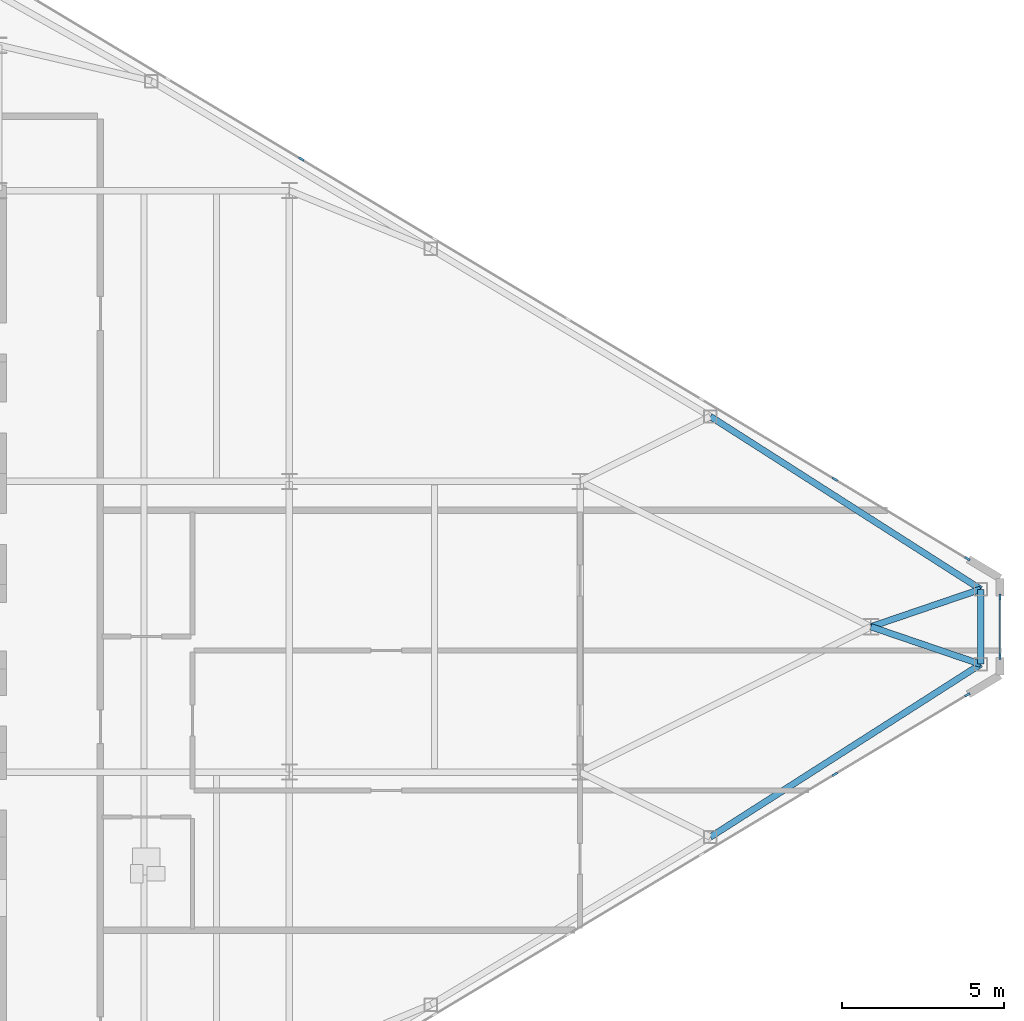
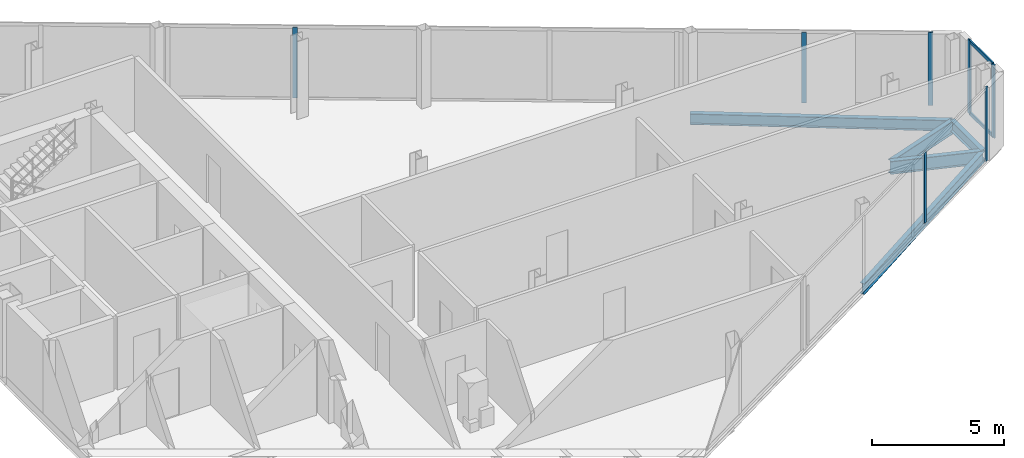
# One storey, part 17 of 25: 9 members, 5 beams, 3 elements without a shape of their own.
"""IFC4 building model written with IfcOpenShell, lengths in metres."""

from ifc_helpers import new_model, si_unit, direction, frame, origin, origin_2d, place, context, subcontext, project, spatial, rectangle, i_section, extrude, source, transform, mapped, material, layer, layer_set, material_profile, profile_set, type_object, type_shapes, element, aggregate, save


model = new_model("IFC4")

# Units and contexts
model_context = context("Model", 3, precision=1e-05, world=origin(), true_north=direction((0.0, 1.0)))
body_context = subcontext(model_context, "Body", "Model", "MODEL_VIEW")
ifc_project = project(units=[si_unit("LENGTHUNIT", "METRE"), si_unit("AREAUNIT", "SQUARE_METRE"), si_unit("VOLUMEUNIT", "CUBIC_METRE"), si_unit("PLANEANGLEUNIT", "RADIAN"), si_unit("MASSUNIT", "GRAM", prefix="KILO")], contexts=[model_context])

# Site, building, storey
site_placement = place(None, origin())
site = spatial("IfcSite", under=ifc_project, at=site_placement, CompositionType="ELEMENT")
building_placement = place(site_placement, origin())
building = spatial("IfcBuilding", under=site, at=building_placement, Name="Seokmaru Belvedere", CompositionType="ELEMENT")
storey_placement = place(building_placement, frame((0.0, 0.0, 210.300048828125)))
storey = spatial("IfcBuildingStorey", under=building, at=storey_placement, Name="L56", CompositionType="ELEMENT", Elevation=210.300048828125)

# Beams
ifc_material_1 = material(Name="Steel SM355 (355 MPa)", Category="steel")
ifc_material_profile_1 = material_profile(ifc_material_1, i_section(OverallWidth=0.199951171875, OverallDepth=0.5, WebThickness=0.010009765625, FlangeThickness=0.01611328125, at=origin_2d()), Name="H-500x200x10x16")
ifc_profile_set_1 = profile_set([ifc_material_profile_1], Name="Steel SM355 (355 MPa)")
beam_type_1 = type_object("IfcBeamType", Name="Perimeter Spandrel Beam H-500", PredefinedType="SPANDREL", material=ifc_profile_set_1)
shared_shape_1 = source(origin(), body_context, "Body", "SweptSolid", [
    extrude(i_section(OverallWidth=0.199951171875, OverallDepth=0.5, WebThickness=0.010009765625, FlangeThickness=0.01611328125, at=origin_2d()), origin(), (0.0, 0.0, 1.0), 9.932861328125),
])
for number, where, z_axis, x_axis, name in (
    (1, (58.530029296875, -6.5087890625, -0.469970703125), (0.842651960357, 0.538458609093, 0.0), (-0.538458609093, 0.842651960357, 0.0), "L56 E Faceted Flank Spandrel S-4"),
    (2, (58.530029296875, 6.5087890625, -0.469970703125), (0.842651960357, -0.538458609093, 0.0), (0.538458609093, 0.842651960357, 0.0), "L56 E Faceted Flank Spandrel N-4"),
):
    element("IfcBeam", number, at=place(storey_placement, frame(where, z_axis=z_axis, x_axis=x_axis)), inside=storey, type_object=beam_type_1, Name=name, PredefinedType="SPANDREL", context=body_context, shape_type="MappedRepresentation", body=[
        mapped(shared_shape_1, transform((0.0, 0.0, 0.0), scale=1.0)),
    ])
shared_shape_2 = source(origin(), body_context, "Body", "SweptSolid", [
    extrude(i_section(OverallWidth=0.199951171875, OverallDepth=0.5, WebThickness=0.010009765625, FlangeThickness=0.01611328125, at=origin_2d()), origin(), (0.0, 0.0, 1.0), 2.32080078125),
])
type_shapes(beam_type_1, [shared_shape_1, shared_shape_2])
beam_placement = place(storey_placement, frame((66.89990234375, -1.160400390625, -0.469970703125), z_axis=(0.0, 1.0, 0.0), x_axis=(-1.0, 0.0, 0.0)))
element("IfcBeam", 3, at=beam_placement, inside=storey, type_object=beam_type_1, Name="L56 E Faceted Apex Spandrel", PredefinedType="SPANDREL", context=body_context, shape_type="MappedRepresentation", body=[
    mapped(shared_shape_2, transform((0.0, 0.0, 0.0), scale=1.0)),
])
ifc_material_profile_2 = material_profile(ifc_material_1, i_section(OverallWidth=0.199951171875, OverallDepth=0.60009765625, WebThickness=0.010986328125, FlangeThickness=0.01708984375, at=origin_2d()), Name="H-600x200x11x17")
ifc_profile_set_2 = profile_set([ifc_material_profile_2], Name="Steel SM355 (355 MPa)")
beam_type_2 = type_object("IfcBeamType", Name="Primary Floor Girder H-600", PredefinedType="BEAM", material=ifc_profile_set_2)
shared_shape_3 = source(origin(), body_context, "Body", "SweptSolid", [
    extrude(i_section(OverallWidth=0.199951171875, OverallDepth=0.60009765625, WebThickness=0.010986328125, FlangeThickness=0.01708984375, at=origin_2d()), origin(), (0.0, 0.0, 1.0), 3.592529296875),
])
type_shapes(beam_type_2, [shared_shape_3])
for number, where, z_axis, x_axis, name in (
    (4, (66.89990234375, -1.160400390625, -0.52001953125), (-0.946395973048, 0.323008764893, 0.0), (-0.323008764893, -0.946395973048, 0.0), "L56 E Apex Radial Floor Girder 1"),
    (5, (66.89990234375, 1.160400390625, -0.52001953125), (-0.946395973048, -0.323008764893, 0.0), (0.323008764893, -0.946395973048, 0.0), "L56 E Apex Radial Floor Girder 2"),
):
    element("IfcBeam", number, at=place(storey_placement, frame(where, z_axis=z_axis, x_axis=x_axis)), inside=storey, type_object=beam_type_2, Name=name, PredefinedType="BEAM", context=body_context, shape_type="MappedRepresentation", body=[
        mapped(shared_shape_3, transform((0.0, 0.0, 0.0), scale=1.0)),
    ])

# Curtain wall, member
ifc_material_2 = material(Name="Bronze Triple Insulating Glass", Category="glass")
ifc_layer = layer(ifc_material_2, 0.179931640625)
ifc_layer_set = layer_set([ifc_layer], Name="Bronze Triple Insulating Glass")
curtain_wall_type = type_object("IfcCurtainWallType", Name="High-Rise Wind-Corner Curtain Wall System CW-5", PredefinedType="NOTDEFINED", material=ifc_layer_set)
curtain_wall_1_placement = place(storey_placement, origin())
curtain_wall_1 = element("IfcCurtainWall", 6, at=curtain_wall_1_placement, inside=storey, type_object=curtain_wall_type, Name="L56 Curtain Wall EF1", PredefinedType="NOTDEFINED")
ifc_material_3 = material(Name="Anodised Bronze Aluminium", Category="aluminium")
ifc_material_profile_3 = material_profile(ifc_material_3, rectangle(XDim=0.06494140625, YDim=0.179931640625, at=origin_2d()), Name="CW-M-65x180")
ifc_profile_set_3 = profile_set([ifc_material_profile_3], Name="Anodised Bronze Aluminium")
member_type_1 = type_object("IfcMemberType", Name="Bronze Unitised Mullion 65x180", PredefinedType="MULLION", material=ifc_profile_set_3)
shared_shape_4 = source(origin(), body_context, "Body", "SweptSolid", [
    extrude(rectangle(XDim=0.06494140625, YDim=0.179931640625, at=origin_2d()), origin(), (0.0, 0.0, 1.0), 3.3798828125),
])
member_1_placement = place(storey_placement, frame((66.486083984375, -2.1083984375, 0.0), z_axis=(0.0, 0.0, 1.0), x_axis=(-0.514494909364, 0.85749343335, 0.0)))
member_1 = element("IfcMember", 7, at=member_1_placement, type_object=member_type_1, Name="CW:L56:EF1 Mullion 9", PredefinedType="MULLION", context=body_context, shape_type="MappedRepresentation", body=[
    mapped(shared_shape_4, transform((0.0, 0.0, 0.0), scale=1.0)),
])

# Curtain wall, members
curtain_wall_2_placement = place(storey_placement, origin())
curtain_wall_2 = element("IfcCurtainWall", 8, at=curtain_wall_2_placement, inside=storey, type_object=curtain_wall_type, Name="L56 Curtain Wall EF2", PredefinedType="NOTDEFINED")
member_2_placement = place(storey_placement, frame((67.5, -0.91748046875, 0.0), z_axis=(0.0, 0.0, 1.0), x_axis=(-1.0, 0.0, 0.0)))
member_2 = element("IfcMember", 9, at=member_2_placement, type_object=member_type_1, Name="CW:L56:EF2 Mullion 1", PredefinedType="MULLION", context=body_context, shape_type="MappedRepresentation", body=[
    mapped(shared_shape_4, transform((0.0, 0.0, 0.0), scale=1.0)),
])
member_3_placement = place(storey_placement, frame((67.5, 0.91748046875, 0.0), z_axis=(0.0, 0.0, 1.0), x_axis=(-1.0, 0.0, 0.0)))
member_3 = element("IfcMember", 10, at=member_3_placement, type_object=member_type_1, Name="CW:L56:EF2 Mullion 2", PredefinedType="MULLION", context=body_context, shape_type="MappedRepresentation", body=[
    mapped(shared_shape_4, transform((0.0, 0.0, 0.0), scale=1.0)),
])

# Curtain wall, member
curtain_wall_3_placement = place(storey_placement, origin())
curtain_wall_3 = element("IfcCurtainWall", 11, at=curtain_wall_3_placement, inside=storey, type_object=curtain_wall_type, Name="L56 Curtain Wall EF3", PredefinedType="NOTDEFINED")
member_4_placement = place(storey_placement, frame((66.486083984375, 2.1083984375, 0.0), z_axis=(0.0, 0.0, 1.0), x_axis=(-0.514494909364, -0.85749343335, 0.0)))
member_4 = element("IfcMember", 12, at=member_4_placement, type_object=member_type_1, Name="CW:L56:EF3 Mullion 1", PredefinedType="MULLION", context=body_context, shape_type="MappedRepresentation", body=[
    mapped(shared_shape_4, transform((0.0, 0.0, 0.0), scale=1.0)),
])

# Member
shared_shape_5 = source(origin(), body_context, "Body", "SweptSolid", [
    extrude(rectangle(XDim=0.06494140625, YDim=0.179931640625, at=origin_2d()), origin(), (0.0, 0.0, 1.0), 3.25),
])
type_shapes(member_type_1, [shared_shape_4, shared_shape_5])
member_5_placement = place(storey_placement, frame((62.385498046875, -4.56884765625, 0.06494140625), z_axis=(0.0, 0.0, 1.0), x_axis=(-0.514494909364, 0.85749343335, 0.0)))
member_5 = element("IfcMember", 13, at=member_5_placement, type_object=member_type_1, Name="CW:L56:EF1 Mullion 8", PredefinedType="MULLION", context=body_context, shape_type="MappedRepresentation", body=[
    mapped(shared_shape_5, transform((0.0, 0.0, 0.0), scale=1.0)),
])

aggregate(curtain_wall_1, [member_5, member_1])

member_6_placement = place(storey_placement, frame((62.385498046875, 4.56884765625, 0.06494140625), z_axis=(0.0, 0.0, 1.0), x_axis=(-0.514494909364, -0.85749343335, 0.0)))
member_6 = element("IfcMember", 14, at=member_6_placement, type_object=member_type_1, Name="CW:L56:EF3 Mullion 2", PredefinedType="MULLION", context=body_context, shape_type="MappedRepresentation", body=[
    mapped(shared_shape_5, transform((0.0, 0.0, 0.0), scale=1.0)),
])

member_7_placement = place(storey_placement, frame((45.87158203125, 14.47705078125, 0.06494140625), z_axis=(0.0, 0.0, 1.0), x_axis=(-0.514494909364, -0.85749343335, 0.0)))
member_7 = element("IfcMember", 15, at=member_7_placement, type_object=member_type_1, Name="CW:L56:EF3 Mullion 6", PredefinedType="MULLION", context=body_context, shape_type="MappedRepresentation", body=[
    mapped(shared_shape_5, transform((0.0, 0.0, 0.0), scale=1.0)),
])

aggregate(curtain_wall_3, [member_4, member_6, member_7])

ifc_material_profile_4 = material_profile(ifc_material_3, rectangle(XDim=0.06494140625, YDim=0.14990234375, at=origin_2d()), Name="CW-T-65x150")
ifc_profile_set_4 = profile_set([ifc_material_profile_4], Name="Anodised Bronze Aluminium")
member_type_2 = type_object("IfcMemberType", Name="Bronze Unitised Transom 65x150", PredefinedType="USERDEFINED", material=ifc_profile_set_4)
shared_shape_6 = source(origin(), body_context, "Body", "SweptSolid", [
    extrude(rectangle(XDim=0.06494140625, YDim=0.14990234375, at=origin_2d()), origin(), (0.0, 0.0, 1.0), 1.77001953125),
])
type_shapes(member_type_2, [shared_shape_6])
member_8_placement = place(storey_placement, frame((67.5, -0.885009765625, 0.032470703125), z_axis=(0.0, 1.0, 0.0), x_axis=(-1.0, 0.0, 0.0)))
member_8 = element("IfcMember", 16, at=member_8_placement, type_object=member_type_2, Name="CW:L56:EF2 Continuous Transom 1", ObjectType="TRANSOM", PredefinedType="USERDEFINED", context=body_context, shape_type="MappedRepresentation", body=[
    mapped(shared_shape_6, transform((0.0, 0.0, 0.0), scale=1.0)),
])

member_9_placement = place(storey_placement, frame((67.5, -0.885009765625, 3.347412109375), z_axis=(0.0, 1.0, 0.0), x_axis=(-1.0, 0.0, 0.0)))
member_9 = element("IfcMember", 17, at=member_9_placement, type_object=member_type_2, Name="CW:L56:EF2 Continuous Transom 2", ObjectType="TRANSOM", PredefinedType="USERDEFINED", context=body_context, shape_type="MappedRepresentation", body=[
    mapped(shared_shape_6, transform((0.0, 0.0, 0.0), scale=1.0)),
])

aggregate(curtain_wall_2, [member_2, member_3, member_8, member_9])

save(model, "model.ifc")
